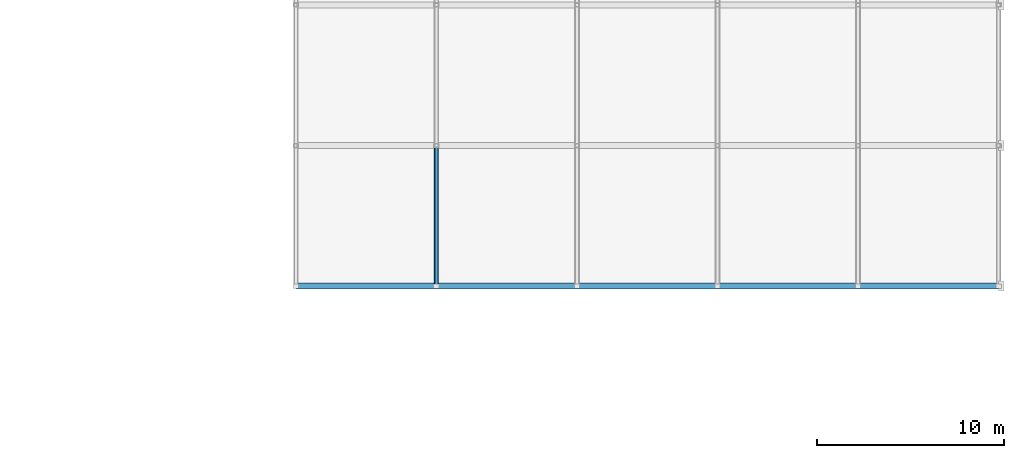
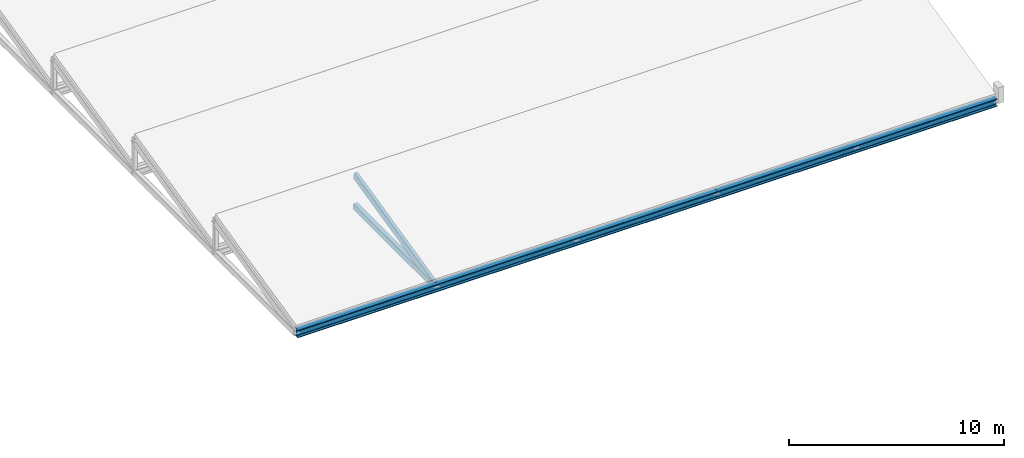
# One storey, part 40 of 82: 4 members.
"""IFC4 building model written with IfcOpenShell, lengths in metres."""

from ifc_helpers import new_model, si_unit, direction, frame, origin, origin_2d, place, context, subcontext, project, spatial, hollow_rectangle, i_section, extrude, material, material_profile, profile_set, type_object, element, save


model = new_model("IFC4")

# Units and contexts
model_context = context("Model", 3, precision=1e-05, world=origin(), true_north=direction((0.0, 1.0)))
body_context = subcontext(model_context, "Body", "Model", "MODEL_VIEW")
ifc_project = project(units=[si_unit("LENGTHUNIT", "METRE"), si_unit("AREAUNIT", "SQUARE_METRE"), si_unit("VOLUMEUNIT", "CUBIC_METRE"), si_unit("PLANEANGLEUNIT", "RADIAN"), si_unit("MASSUNIT", "GRAM", prefix="KILO")], contexts=[model_context])

# Site, building, storey
site_placement = place(None, origin())
site = spatial("IfcSite", under=ifc_project, at=site_placement, CompositionType="ELEMENT")
building_placement = place(site_placement, origin())
building = spatial("IfcBuilding", under=site, at=building_placement, Name="Qasida Concert Hall", CompositionType="ELEMENT")
storey_placement = place(building_placement, frame((0.0, 0.0, 17.10009765625)))
storey = spatial("IfcBuildingStorey", under=building, at=storey_placement, Name="L04", CompositionType="ELEMENT", Elevation=17.10009765625)

# Members
ifc_material = material(Name="Steel S355J2", Category="steel")
ifc_material_profile_1 = material_profile(ifc_material, i_section(OverallWidth=0.306884765625, OverallDepth=0.431884765625, WebThickness=0.02099609375, FlangeThickness=0.0400390625, FilletRadius=0.027099609375, at=origin_2d()), Name="HEM 400")
ifc_profile_set_1 = profile_set([ifc_material_profile_1], Name="Steel S355J2")
member_type_1 = type_object("IfcMemberType", Name="MB-CH3", PredefinedType="CHORD", material=ifc_profile_set_1)
member_1_placement = place(storey_placement, frame((127.5, 75.0, 0.0), z_axis=(1.0, 0.0, 0.0), x_axis=(0.0, 1.0, 0.0)))
element("IfcMember", 1, at=member_1_placement, inside=storey, type_object=member_type_1, Name="Roof truss sawtooth bottom chord V4T-001", PredefinedType="CHORD", context=body_context, shape_type="SweptSolid", body=[
    extrude(i_section(OverallWidth=0.306884765625, OverallDepth=0.431884765625, WebThickness=0.02099609375, FlangeThickness=0.0400390625, FilletRadius=0.027099609375, at=origin_2d()), origin(), (0.0, 0.0, 1.0), 22.5),
])
member_2_placement = place(storey_placement, frame((150.0, 75.0, 0.0), z_axis=(1.0, 0.0, 0.0), x_axis=(0.0, 1.0, 0.0)))
element("IfcMember", 2, at=member_2_placement, inside=storey, type_object=member_type_1, Name="Roof truss sawtooth bottom chord V4T-002", PredefinedType="CHORD", context=body_context, shape_type="SweptSolid", body=[
    extrude(i_section(OverallWidth=0.306884765625, OverallDepth=0.431884765625, WebThickness=0.02099609375, FlangeThickness=0.0400390625, FilletRadius=0.027099609375, at=origin_2d()), origin(), (0.0, 0.0, 1.0), 15.0),
])
ifc_material_profile_2 = material_profile(ifc_material, hollow_rectangle(XDim=0.199951171875, YDim=0.39990234375, WallThickness=0.01611328125, InnerFilletRadius=0.01611328125, OuterFilletRadius=0.031982421875, at=origin_2d()), Name="RHS 400x200x16")
ifc_profile_set_2 = profile_set([ifc_material_profile_2], Name="Steel S355J2")
member_type_2 = type_object("IfcMemberType", Name="MB-CH4", PredefinedType="CHORD", material=ifc_profile_set_2)
member_3_placement = place(storey_placement, frame((135.0, 75.0, 0.0), z_axis=(0.0, 0.973841209742, 0.227229615606), x_axis=(-1.0, 0.0, 0.0)))
element("IfcMember", 3, at=member_3_placement, inside=storey, type_object=member_type_2, Name="Roof truss sawtooth rafter V4R-017", PredefinedType="CHORD", context=body_context, shape_type="SweptSolid", body=[
    extrude(hollow_rectangle(XDim=0.199951171875, YDim=0.39990234375, WallThickness=0.01611328125, InnerFilletRadius=0.01611328125, OuterFilletRadius=0.031982421875, at=origin_2d()), origin(), (0.0, 0.0, 1.0), 7.701416015625),
])
ifc_material_profile_3 = material_profile(ifc_material, hollow_rectangle(XDim=0.25, YDim=0.35009765625, WallThickness=0.01611328125, InnerFilletRadius=0.01611328125, OuterFilletRadius=0.031982421875, at=origin_2d()), Name="RHS 350x250x16")
ifc_profile_set_3 = profile_set([ifc_material_profile_3], Name="Steel S355J2")
member_type_3 = type_object("IfcMemberType", Name="MB-CH5", PredefinedType="CHORD", material=ifc_profile_set_3)
member_4_placement = place(storey_placement, frame((135.0, 75.0, 0.0), z_axis=(0.0, 1.0, 0.0), x_axis=(-1.0, 0.0, 0.0)))
element("IfcMember", 4, at=member_4_placement, inside=storey, type_object=member_type_3, Name="Roof truss sawtooth tie V4B-016", PredefinedType="CHORD", context=body_context, shape_type="SweptSolid", body=[
    extrude(hollow_rectangle(XDim=0.25, YDim=0.35009765625, WallThickness=0.01611328125, InnerFilletRadius=0.01611328125, OuterFilletRadius=0.031982421875, at=origin_2d()), origin(), (0.0, 0.0, 1.0), 7.5),
])

save(model, "model.ifc")
